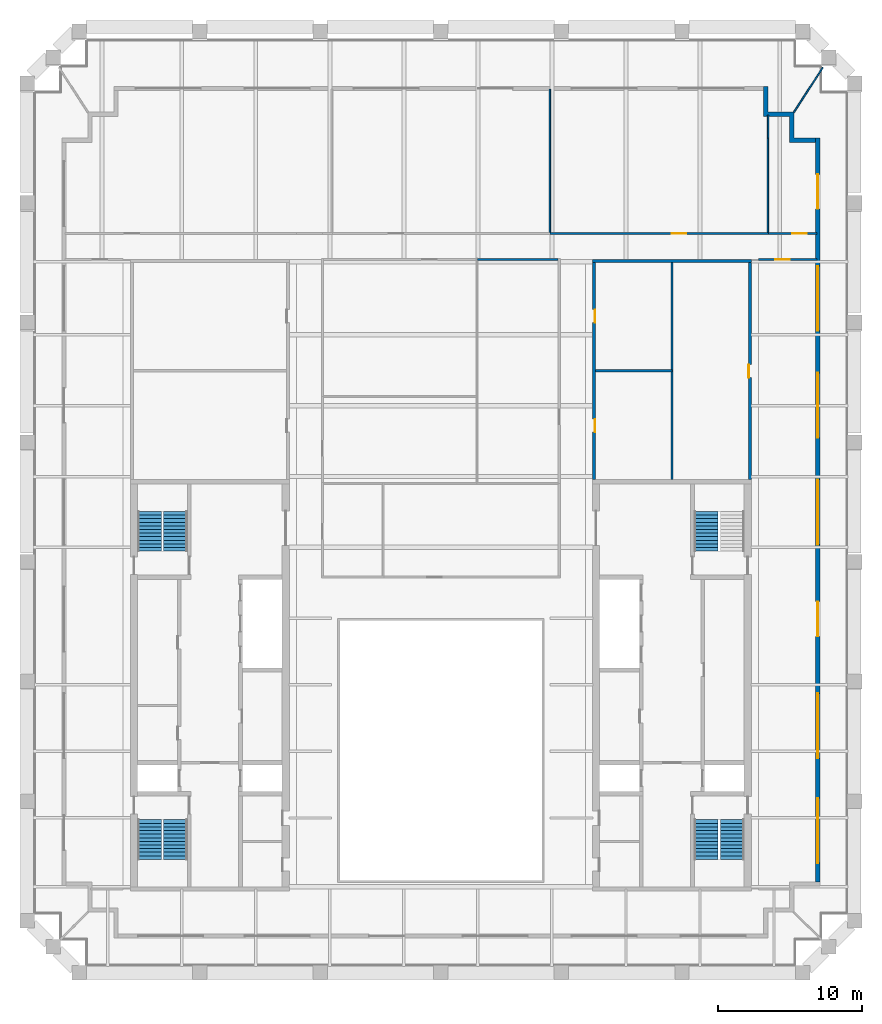
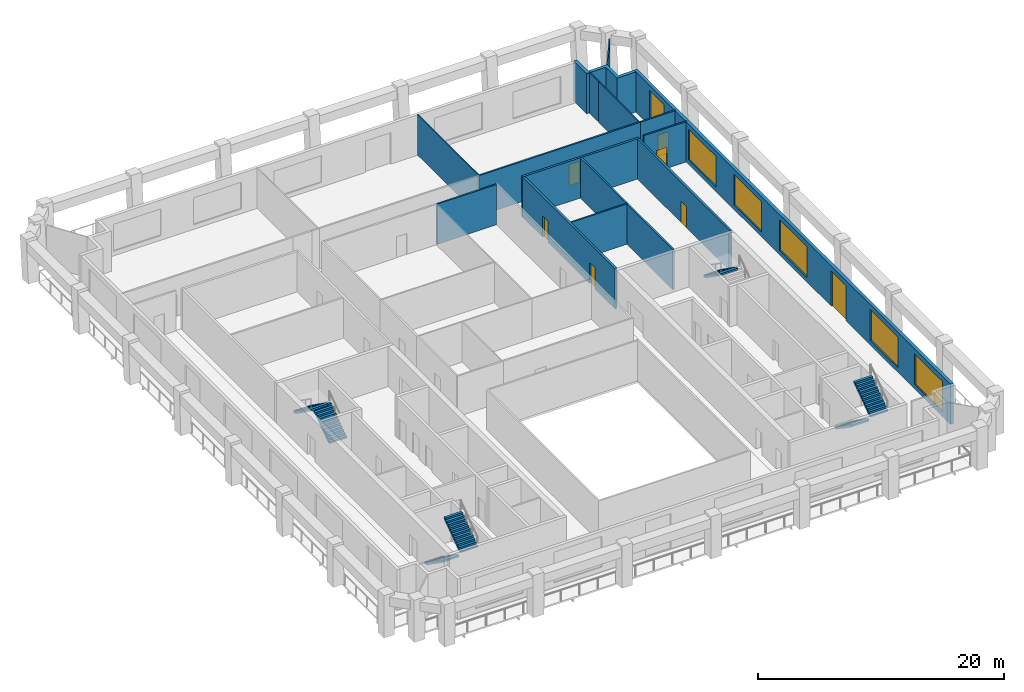
# One storey, part 6 of 8: 15 walls, 8 doors, 7 stair flights, 5 windows, 13 openings, 4 elements without a shape of their own.
"""IFC4 building model written with IfcOpenShell, lengths in metres."""

import ifcopenshell
import ifcopenshell.guid

model = None  # the IFC model being written
_history = None  # IfcOwnerHistory: only IFC2X3 demands one
_inside = {}  # id of a spatial element -> (the spatial element, [elements in it])
_under = {}  # id of a project, library or spatial element -> (it, [spatial elements below it])
_declared = {}  # id of a project -> (the project, [libraries it declares])
_typed = {}  # id of a type object -> (the type object, [elements of that type])
_made_of = {}  # id of a material, layer set ... -> (it, [elements and type objects made of it])


def new_model(schema):
    """Start an empty IFC model of exactly this schema.

    Asked for "IFC4X3", IfcOpenShell would pick the latest addendum, in which some entities
    have other attributes; the version numbers below select the first issue.
    IFC2X3 requires an IfcOwnerHistory on every rooted entity: one is made here for all.
    """
    global model, _history
    if schema == "IFC4X3":
        model = ifcopenshell.file(schema_version=(4, 3, 0, 0))
    else:
        model = ifcopenshell.file(schema=schema)
    _inside.clear()
    _under.clear()
    _declared.clear()
    _typed.clear()
    _made_of.clear()
    _history = None
    if model.schema == "IFC2X3":
        org = make("IfcOrganization", Name="unknown")
        user = make(
            "IfcPersonAndOrganization",
            ThePerson=make("IfcPerson", FamilyName="unknown"),
            TheOrganization=org,
        )
        app = make(
            "IfcApplication",
            ApplicationDeveloper=org,
            Version="unknown",
            ApplicationFullName="unknown",
            ApplicationIdentifier="unknown",
        )
        _history = make(
            "IfcOwnerHistory",
            OwningUser=user,
            OwningApplication=app,
            ChangeAction="ADDED",
            CreationDate=0,
        )
    return model


def make(cls, **values):
    """One entity of the class cls with the attributes given. An attribute that is None is left unset."""
    return model.create_entity(
        cls, **{name: value for name, value in values.items() if value is not None}
    )


def rooted(cls, **values):
    """An entity with a GlobalId (a new one), such as an element, a storey or a relation."""
    return make(cls, GlobalId=ifcopenshell.guid.new(), OwnerHistory=_history, **values)


def si_unit(unit_type, name, prefix=None):
    """IfcSIUnit, for example si_unit("LENGTHUNIT", "METRE", prefix="MILLI")."""
    return make("IfcSIUnit", UnitType=unit_type, Prefix=prefix, Name=name)


def assignment(units):
    """IfcUnitAssignment: the units of a project."""
    return None if units is None else make("IfcUnitAssignment", Units=units)


def point(xyz):
    """IfcCartesianPoint."""
    return None if xyz is None else make("IfcCartesianPoint", Coordinates=xyz)


def direction(xyz):
    """IfcDirection."""
    return None if xyz is None else make("IfcDirection", DirectionRatios=xyz)


def frame(location, z_axis=None, x_axis=None):
    """IfcAxis2Placement3D, a coordinate frame: its origin and axes. An axis left out is left unset."""
    return make(
        "IfcAxis2Placement3D",
        Location=point(location),
        Axis=direction(z_axis),
        RefDirection=direction(x_axis),
    )


def frame_2d(location, x_axis=None):
    """IfcAxis2Placement2D, a coordinate frame in the plane: its origin and x axis."""
    return make(
        "IfcAxis2Placement2D", Location=point(location), RefDirection=direction(x_axis)
    )


def origin():
    """The frame at (0, 0, 0) with its axes left unset."""
    return frame((0.0, 0.0, 0.0))


def place(relative_to, where):
    """IfcLocalPlacement: puts the frame where relative to a parent placement (None: the world)."""
    return make(
        "IfcLocalPlacement", PlacementRelTo=relative_to, RelativePlacement=where
    )


def context(
    kind, dimensions, precision=None, world=None, true_north=None, identifier=None
):
    """IfcGeometricRepresentationContext, for example the 3D "Model" context."""
    return make(
        "IfcGeometricRepresentationContext",
        ContextIdentifier=identifier,
        ContextType=kind,
        CoordinateSpaceDimension=dimensions,
        Precision=precision,
        WorldCoordinateSystem=world,
        TrueNorth=true_north,
    )


def subcontext(parent, identifier, kind, view, scale=None):
    """IfcGeometricRepresentationSubContext, for example "Body" below "Model"."""
    return make(
        "IfcGeometricRepresentationSubContext",
        ContextIdentifier=identifier,
        ContextType=kind,
        ParentContext=parent,
        TargetScale=scale,
        TargetView=view,
    )


def project(units=None, contexts=None):
    """IfcProject with its units and contexts."""
    return rooted(
        "IfcProject",
        Name="project",
        RepresentationContexts=contexts,
        UnitsInContext=assignment(units),
    )


def spatial(cls, under=None, at=None, **own):
    """A site, building, storey or space (cls), placed at a placement, below another one or the project."""
    s = rooted(cls, ObjectPlacement=at, **own)
    if under is not None:
        _under.setdefault(under.id(), (under, []))[1].append(s)
    return s


def polyline(points):
    """IfcPolyline through the points."""
    return make("IfcPolyline", Points=[point(p) for p in points])


def profile(cls, at=None, kind="AREA", **sizes):
    """A parametric profile (cls). Its sizes go by their IFC names, for example OverallWidth=200.0."""
    return make(cls, ProfileType=kind, Position=at, **sizes)


def rectangle(**sizes):
    """IfcRectangleProfileDef."""
    return profile("IfcRectangleProfileDef", **sizes)


def outline(outer, holes=None, kind="AREA"):
    """IfcArbitraryClosedProfileDef: a profile drawn as a closed curve; with holes, ...WithVoids."""
    if holes is None:
        return make("IfcArbitraryClosedProfileDef", ProfileType=kind, OuterCurve=outer)
    return make(
        "IfcArbitraryProfileDefWithVoids",
        ProfileType=kind,
        OuterCurve=outer,
        InnerCurves=holes,
    )


def extrude(swept, where, along, depth):
    """IfcExtrudedAreaSolid: the profile swept, set in the frame where, extruded along a direction by depth."""
    return make(
        "IfcExtrudedAreaSolid",
        SweptArea=swept,
        Position=where,
        ExtrudedDirection=direction(along),
        Depth=depth,
    )


def shape(context_of_items, identifier, shape_type, items):
    """IfcShapeRepresentation: the items that make up one representation, for example the "Body"."""
    return make(
        "IfcShapeRepresentation",
        ContextOfItems=context_of_items,
        RepresentationIdentifier=identifier,
        RepresentationType=shape_type,
        Items=items,
    )


def material(Name=None, Category=None):
    """IfcMaterial."""
    return make("IfcMaterial", Name=Name, Category=Category)


def layer(
    of_material, thickness, ventilated=None, Name=None, Category=None, Priority=None
):
    """IfcMaterialLayer: one layer of a wall or slab, of a material (None: an air gap)."""
    return make(
        "IfcMaterialLayer",
        Material=of_material,
        LayerThickness=thickness,
        IsVentilated=ventilated,
        Name=Name,
        Category=Category,
        Priority=Priority,
    )


def layer_set(layers, Name=None):
    """IfcMaterialLayerSet."""
    return make("IfcMaterialLayerSet", MaterialLayers=layers, LayerSetName=Name)


def made_of(thing, what):
    """Note that an element or type object is made of a material, layer set ...; save() writes the relation."""
    if what is not None:
        _made_of.setdefault(what.id(), (what, []))[1].append(thing)
    return thing


def type_object(cls, material=None, **own):
    """A type object (cls), such as IfcWallType, which elements share."""
    return made_of(rooted(cls, **own), material)


def element(
    cls,
    number,
    at=None,
    inside=None,
    cuts=None,
    type_object=None,
    material=None,
    context=None,
    identifier="Body",
    shape_type=None,
    held_by="IfcProductDefinitionShape",
    body=None,
    shapes=None,
    **own,
):
    """One element of the class cls, such as IfcWall. Its Tag is "e" and its number.

    at: its placement. inside: the storey or other place that contains it. cuts: it is an
    opening in that element (IfcRelVoidsElement). A single representation is given by context,
    identifier, shape_type and body (its items); several are given by shapes. held_by: the class
    of the entity that holds the representations. save() writes the other relations.
    """
    e = rooted(cls, Tag="e%d" % number, ObjectPlacement=at, **own)
    if body is not None:
        shapes = [shape(context, identifier, shape_type, body)]
    if shapes is not None:
        e.Representation = make(held_by, Representations=shapes)
    if inside is not None:
        _inside.setdefault(inside.id(), (inside, []))[1].append(e)
    if cuts is not None:
        rooted(
            "IfcRelVoidsElement", RelatingBuildingElement=cuts, RelatedOpeningElement=e
        )
    if type_object is not None:
        _typed.setdefault(type_object.id(), (type_object, []))[1].append(e)
    return made_of(e, material)


def fill(opening, filler):
    """IfcRelFillsElement: the door or window that sits in an opening."""
    return rooted(
        "IfcRelFillsElement",
        RelatingOpeningElement=opening,
        RelatedBuildingElement=filler,
    )


def aggregate(whole, parts):
    """IfcRelAggregates: a whole, such as a stair, and the parts it consists of."""
    return rooted("IfcRelAggregates", RelatingObject=whole, RelatedObjects=parts)


def save(model, path):
    """Write the relations noted so far, then the file.

    IfcRelAggregates (storeys below a building ...), IfcRelContainedInSpatialStructure (elements
    in a storey), IfcRelDefinesByType, IfcRelAssociatesMaterial and IfcRelDeclares: one each for
    every whole, place, type object, material and project.
    """
    for whole, parts in _under.values():
        aggregate(whole, parts)
    for where, things in _inside.values():
        rooted(
            "IfcRelContainedInSpatialStructure",
            RelatedElements=things,
            RelatingStructure=where,
        )
    for kind, things in _typed.values():
        rooted("IfcRelDefinesByType", RelatedObjects=things, RelatingType=kind)
    for what, things in _made_of.values():
        rooted("IfcRelAssociatesMaterial", RelatedObjects=things, RelatingMaterial=what)
    for by, libraries in _declared.values():
        rooted("IfcRelDeclares", RelatingContext=by, RelatedDefinitions=libraries)
    model.write(path)


model = new_model("IFC4")

# Units and contexts
model_context = context("Model", 3, precision=1e-05, world=origin(), true_north=direction((0.0, 1.0)))
body_context = subcontext(model_context, "Body", "Model", "MODEL_VIEW")
ifc_project = project(units=[si_unit("LENGTHUNIT", "METRE"), si_unit("AREAUNIT", "SQUARE_METRE"), si_unit("VOLUMEUNIT", "CUBIC_METRE"), si_unit("PLANEANGLEUNIT", "RADIAN"), si_unit("MASSUNIT", "GRAM", prefix="KILO")], contexts=[model_context])

# Site, building, storey
site_placement = place(None, origin())
site = spatial("IfcSite", under=ifc_project, at=site_placement, CompositionType="ELEMENT")
building_placement = place(site_placement, origin())
building = spatial("IfcBuilding", under=site, at=building_placement, Name="Ogive Exchange Tower", CompositionType="ELEMENT")
storey_placement = place(building_placement, frame((0.0, 0.0, 317.39990234375)))
storey = spatial("IfcBuildingStorey", under=building, at=storey_placement, Name="L69", CompositionType="ELEMENT", Elevation=317.39990234375)

# Walls
ifc_material_1 = material(Name="Gypsum board partition")
ifc_layer_1 = layer(ifc_material_1, 0.14990234375)
ifc_layer_set_1 = layer_set([ifc_layer_1], Name="Core room partition 150 gypsum")
wall_type_1 = type_object("IfcWallType", Name="Core room partition 150 gypsum", PredefinedType="PARTITIONING", material=ifc_layer_set_1)
wall_1_placement = place(storey_placement, frame((16.0, 25.75, 0.0), z_axis=(0.0, 0.0, 1.0), x_axis=(0.0, 1.0, 0.0)))
element("IfcWall", 1, at=wall_1_placement, inside=storey, type_object=wall_type_1, Name="E annex N column wall", PredefinedType="PARTITIONING", context=body_context, shape_type="SweptSolid", body=[
    extrude(rectangle(XDim=15.050048828125, YDim=0.14990234375, at=frame_2d((7.52490234375, 0.0))), origin(), (0.0, 0.0, 1.0), 4.0),
])
wall_2_placement = place(storey_placement, frame((10.699951171875, 33.300048828125, 0.0), z_axis=(0.0, 0.0, 1.0), x_axis=(1.0, 0.0, 0.0)))
element("IfcWall", 2, at=wall_2_placement, inside=storey, type_object=wall_type_1, Name="E annex N cross wall", PredefinedType="PARTITIONING", context=body_context, shape_type="SweptSolid", body=[
    extrude(rectangle(XDim=5.300048828125, YDim=0.14990234375, at=frame_2d((2.64990234375, 0.0))), origin(), (0.0, 0.0, 1.0), 4.0),
])

# Wall, opening, door
ifc_material_2 = material(Name="Fire partition EI 60 150")
ifc_layer_2 = layer(ifc_material_2, 0.14990234375)
ifc_layer_set_2 = layer_set([ifc_layer_2], Name="Fire partition EI 60 150")
wall_type_2 = type_object("IfcWallType", Name="Fire partition EI 60 150", PredefinedType="PARTITIONING", material=ifc_layer_set_2)
wall_3_placement = place(storey_placement, frame((7.550048828125, 42.800048828125, 0.0), z_axis=(0.0, 0.0, 1.0), x_axis=(1.0, 0.0, 0.0)))
wall_3 = element("IfcWall", 3, at=wall_3_placement, inside=storey, type_object=wall_type_2, Name="L69-PWL-021", PredefinedType="PARTITIONING", context=body_context, shape_type="SweptSolid", body=[
    extrude(rectangle(XDim=15.14990234375, YDim=0.14990234375, at=frame_2d((7.574951171875, 0.0))), origin(), (0.0, 0.0, 1.0), 4.0),
])
opening_1_placement = place(wall_3_placement, frame((8.449951171875, 0.0, 0.0)))
opening_1 = element("IfcOpeningElement", 4, at=opening_1_placement, cuts=wall_3, Name="Opening L69-I02", PredefinedType="OPENING", context=body_context, shape_type="SweptSolid", body=[
    extrude(rectangle(XDim=1.0, YDim=2.10009765625, at=frame_2d((0.5, 1.050048828125))), frame((0.0, 0.0849609375, 0.0), z_axis=(0.0, -1.0, 0.0), x_axis=(1.0, 0.0, 0.0)), (0.0, 0.0, 1.0), 0.169921875),
])
ifc_material_3 = material(Name="Fire door FD 30S 1000 x 2100")
door_type_1 = type_object("IfcDoorType", Name="Fire door FD 30S 1000 x 2100", OperationType="NOTDEFINED", PredefinedType="DOOR", material=ifc_material_3)
door_1_placement = place(opening_1_placement, origin())
door_1 = element("IfcDoor", 5, at=door_1_placement, inside=storey, type_object=door_type_1, Name="L69-IDR-002", ObjectType="DT3", OperationType="SINGLE_SWING_LEFT", OverallHeight=2.10009765625, OverallWidth=1.0, PredefinedType="DOOR", context=body_context, shape_type="SweptSolid", body=[
    extrude(rectangle(XDim=1.0, YDim=2.10009765625, at=frame_2d((0.5, 1.050048828125))), frame((0.0, 0.02490234375, 0.0), z_axis=(0.0, -1.0, 0.0), x_axis=(1.0, 0.0, 0.0)), (0.0, 0.0, 1.0), 0.050048828125),
])
fill(opening_1, door_1)

# Wall
wall_4_placement = place(storey_placement, frame((8.125, 41.0, 0.0), z_axis=(0.0, 0.0, 1.0), x_axis=(-1.0, 0.0, 0.0)))
element("IfcWall", 6, at=wall_4_placement, inside=storey, type_object=wall_type_2, Name="L69-PWL-025", PredefinedType="PARTITIONING", context=body_context, shape_type="SweptSolid", body=[
    extrude(rectangle(XDim=5.574951171875, YDim=0.14990234375, at=frame_2d((2.78759765625, 0.0))), origin(), (0.0, 0.0, 1.0), 4.0),
])

# Wall, opening, door
wall_5_placement = place(storey_placement, frame((22.699951171875, 42.800048828125, 0.0), z_axis=(0.0, 0.0, 1.0), x_axis=(1.0, 0.0, 0.0)))
wall_5 = element("IfcWall", 7, at=wall_5_placement, inside=storey, type_object=wall_type_2, Name="L69-PWL-028", PredefinedType="PARTITIONING", context=body_context, shape_type="SweptSolid", body=[
    extrude(rectangle(XDim=3.35009765625, YDim=0.14990234375, at=frame_2d((1.675048828125, 0.0))), origin(), (0.0, 0.0, 1.0), 4.0),
])
opening_2_placement = place(wall_5_placement, frame((1.64990234375, 0.0, 0.0)))
opening_2 = element("IfcOpeningElement", 8, at=opening_2_placement, cuts=wall_5, Name="Opening L69-I01", PredefinedType="OPENING", context=body_context, shape_type="SweptSolid", body=[
    extrude(rectangle(XDim=1.0, YDim=2.10009765625, at=frame_2d((0.5, 1.050048828125))), frame((0.0, 0.0849609375, 0.0), z_axis=(0.0, -1.0, 0.0), x_axis=(1.0, 0.0, 0.0)), (0.0, 0.0, 1.0), 0.169921875),
])
door_2_placement = place(opening_2_placement, origin())
door_2 = element("IfcDoor", 9, at=door_2_placement, inside=storey, type_object=door_type_1, Name="L69-IDR-001", ObjectType="DT3", OperationType="SINGLE_SWING_LEFT", OverallHeight=2.10009765625, OverallWidth=1.0, PredefinedType="DOOR", context=body_context, shape_type="SweptSolid", body=[
    extrude(rectangle(XDim=1.0, YDim=2.10009765625, at=frame_2d((0.5, 1.050048828125))), frame((0.0, 0.02490234375, 0.0), z_axis=(0.0, -1.0, 0.0), x_axis=(1.0, 0.0, 0.0)), (0.0, 0.0, 1.0), 0.050048828125),
])
fill(opening_2, door_2)

wall_6_placement = place(storey_placement, frame((26.050048828125, 41.0, 0.0), z_axis=(0.0, 0.0, 1.0), x_axis=(-1.0, 0.0, 0.0)))
wall_6 = element("IfcWall", 10, at=wall_6_placement, inside=storey, type_object=wall_type_2, Name="L69-PWL-030", PredefinedType="PARTITIONING", context=body_context, shape_type="SweptSolid", body=[
    extrude(rectangle(XDim=4.050048828125, YDim=0.14990234375, at=frame_2d((2.02490234375, 0.0))), origin(), (0.0, 0.0, 1.0), 4.0),
])
opening_3_placement = place(wall_6_placement, frame((1.89990234375, 0.0, 0.0)))
opening_3 = element("IfcOpeningElement", 11, at=opening_3_placement, cuts=wall_6, Name="Opening L69-I11", PredefinedType="OPENING", context=body_context, shape_type="SweptSolid", body=[
    extrude(rectangle(XDim=1.0, YDim=2.10009765625, at=frame_2d((0.5, 1.050048828125))), frame((0.0, 0.0849609375, 0.0), z_axis=(0.0, -1.0, 0.0), x_axis=(1.0, 0.0, 0.0)), (0.0, 0.0, 1.0), 0.169921875),
])
door_3_placement = place(opening_3_placement, origin())
door_3 = element("IfcDoor", 12, at=door_3_placement, inside=storey, type_object=door_type_1, Name="L69-IDR-011", ObjectType="DT3", OperationType="SINGLE_SWING_RIGHT", OverallHeight=2.10009765625, OverallWidth=1.0, PredefinedType="DOOR", context=body_context, shape_type="SweptSolid", body=[
    extrude(rectangle(XDim=1.0, YDim=2.10009765625, at=frame_2d((0.5, 1.050048828125))), frame((0.0, 0.02490234375, 0.0), z_axis=(0.0, -1.0, 0.0), x_axis=(1.0, 0.0, 0.0)), (0.0, 0.0, 1.0), 0.050048828125),
])
fill(opening_3, door_3)

# Wall, openings, doors, windows
ifc_material_4 = material(Name="Precast concrete C40/50", Category="concrete")
ifc_layer_3 = layer(ifc_material_4, 0.300048828125)
ifc_layer_set_3 = layer_set([ifc_layer_3], Name="Limestone-faced wall 300")
wall_type_3 = type_object("IfcWallType", Name="Limestone-faced wall 300", PredefinedType="STANDARD", material=ifc_layer_set_3)
wall_7_placement = place(storey_placement, frame((26.10009765625, -2.10009765625, 0.0), z_axis=(0.0, 0.0, 1.0), x_axis=(0.0, 1.0, 0.0)))
wall_7 = element("IfcWall", 13, at=wall_7_placement, inside=storey, type_object=wall_type_3, Name="External wall E2", PredefinedType="STANDARD", context=body_context, shape_type="SweptSolid", body=[
    extrude(rectangle(XDim=51.5, YDim=0.300048828125, at=frame_2d((25.75, 0.0))), origin(), (0.0, 0.0, 1.0), 4.0),
])
opening_4_placement = place(wall_7_placement, frame((1.300048828125, 0.0, 0.449951171875)))
opening_4 = element("IfcOpeningElement", 14, at=opening_4_placement, cuts=wall_7, Name="Opening W1", PredefinedType="OPENING", context=body_context, shape_type="SweptSolid", body=[
    extrude(rectangle(XDim=4.5, YDim=3.050048828125, at=frame_2d((2.25, 1.52490234375))), frame((0.0, 0.159912109375, 0.0), z_axis=(0.0, -1.0, 0.0), x_axis=(1.0, 0.0, 0.0)), (0.0, 0.0, 1.0), 0.320068359375),
])
opening_5_placement = place(wall_7_placement, frame((8.550048828125, 0.0, 0.449951171875)))
opening_5 = element("IfcOpeningElement", 15, at=opening_5_placement, cuts=wall_7, Name="Opening W1", PredefinedType="OPENING", context=body_context, shape_type="SweptSolid", body=[
    extrude(rectangle(XDim=4.5, YDim=3.050048828125, at=frame_2d((2.25, 1.52490234375))), frame((0.0, 0.159912109375, 0.0), z_axis=(0.0, -1.0, 0.0), x_axis=(1.0, 0.0, 0.0)), (0.0, 0.0, 1.0), 0.320068359375),
])
opening_6_placement = place(wall_7_placement, frame((17.0, 0.0, 0.0)))
opening_6 = element("IfcOpeningElement", 16, at=opening_6_placement, cuts=wall_7, Name="Opening D1", PredefinedType="OPENING", context=body_context, shape_type="SweptSolid", body=[
    extrude(rectangle(XDim=2.39990234375, YDim=3.5, at=frame_2d((1.199951171875, 1.75))), frame((0.0, 0.159912109375, 0.0), z_axis=(0.0, -1.0, 0.0), x_axis=(1.0, 0.0, 0.0)), (0.0, 0.0, 1.0), 0.320068359375),
])
opening_7_placement = place(wall_7_placement, frame((23.35009765625, 0.0, 0.449951171875)))
opening_7 = element("IfcOpeningElement", 17, at=opening_7_placement, cuts=wall_7, Name="Opening W1", PredefinedType="OPENING", context=body_context, shape_type="SweptSolid", body=[
    extrude(rectangle(XDim=4.5, YDim=3.050048828125, at=frame_2d((2.25, 1.52490234375))), frame((0.0, 0.159912109375, 0.0), z_axis=(0.0, -1.0, 0.0), x_axis=(1.0, 0.0, 0.0)), (0.0, 0.0, 1.0), 0.320068359375),
])
opening_8_placement = place(wall_7_placement, frame((30.75, 0.0, 0.449951171875)))
opening_8 = element("IfcOpeningElement", 18, at=opening_8_placement, cuts=wall_7, Name="Opening W1", PredefinedType="OPENING", context=body_context, shape_type="SweptSolid", body=[
    extrude(rectangle(XDim=4.5, YDim=3.050048828125, at=frame_2d((2.25, 1.52490234375))), frame((0.0, 0.159912109375, 0.0), z_axis=(0.0, -1.0, 0.0), x_axis=(1.0, 0.0, 0.0)), (0.0, 0.0, 1.0), 0.320068359375),
])
opening_9_placement = place(wall_7_placement, frame((38.14990234375, 0.0, 0.449951171875)))
opening_9 = element("IfcOpeningElement", 19, at=opening_9_placement, cuts=wall_7, Name="Opening W1", PredefinedType="OPENING", context=body_context, shape_type="SweptSolid", body=[
    extrude(rectangle(XDim=4.5, YDim=3.050048828125, at=frame_2d((2.25, 1.52490234375))), frame((0.0, 0.159912109375, 0.0), z_axis=(0.0, -1.0, 0.0), x_axis=(1.0, 0.0, 0.0)), (0.0, 0.0, 1.0), 0.320068359375),
])
opening_10_placement = place(wall_7_placement, frame((46.60009765625, 0.0, 0.0)))
opening_10 = element("IfcOpeningElement", 20, at=opening_10_placement, cuts=wall_7, Name="Opening D1", PredefinedType="OPENING", context=body_context, shape_type="SweptSolid", body=[
    extrude(rectangle(XDim=2.39990234375, YDim=3.5, at=frame_2d((1.199951171875, 1.75))), frame((0.0, 0.159912109375, 0.0), z_axis=(0.0, -1.0, 0.0), x_axis=(1.0, 0.0, 0.0)), (0.0, 0.0, 1.0), 0.320068359375),
])
ifc_material_5 = material(Name="Clear glass in bronze frame", Category="glass")
door_type_2 = type_object("IfcDoorType", Name="Sliding loggia door 2400 x 3500", OperationType="DOUBLE_DOOR_SLIDING", PredefinedType="DOOR", material=ifc_material_5)
door_4_placement = place(opening_6_placement, origin())
door_4 = element("IfcDoor", 21, at=door_4_placement, inside=storey, type_object=door_type_2, Name="Loggia door E02", OperationType="DOUBLE_DOOR_SLIDING", OverallHeight=3.5, OverallWidth=2.39990234375, PredefinedType="DOOR", context=body_context, shape_type="SweptSolid", body=[
    extrude(rectangle(XDim=2.39990234375, YDim=3.5, at=frame_2d((1.199951171875, 1.75))), frame((0.0, 0.02490234375, 0.0), z_axis=(0.0, -1.0, 0.0), x_axis=(1.0, 0.0, 0.0)), (0.0, 0.0, 1.0), 0.050048828125),
])
fill(opening_6, door_4)
door_5_placement = place(opening_10_placement, origin())
door_5 = element("IfcDoor", 22, at=door_5_placement, inside=storey, type_object=door_type_2, Name="Loggia door E06", OperationType="DOUBLE_DOOR_SLIDING", OverallHeight=3.5, OverallWidth=2.39990234375, PredefinedType="DOOR", context=body_context, shape_type="SweptSolid", body=[
    extrude(rectangle(XDim=2.39990234375, YDim=3.5, at=frame_2d((1.199951171875, 1.75))), frame((0.0, 0.02490234375, 0.0), z_axis=(0.0, -1.0, 0.0), x_axis=(1.0, 0.0, 0.0)), (0.0, 0.0, 1.0), 0.050048828125),
])
fill(opening_10, door_5)
window_type = type_object("IfcWindowType", Name="Twin lancet window 4500 x 3050", PartitioningType="DOUBLE_PANEL_VERTICAL", PredefinedType="WINDOW", material=ifc_material_5)
window_1_placement = place(opening_4_placement, origin())
window_1 = element("IfcWindow", 23, at=window_1_placement, inside=storey, type_object=window_type, Name="Window E00", OverallHeight=3.050048828125, OverallWidth=4.5, PartitioningType="DOUBLE_PANEL_VERTICAL", PredefinedType="WINDOW", context=body_context, shape_type="SweptSolid", body=[
    extrude(rectangle(XDim=4.5, YDim=3.050048828125, at=frame_2d((2.25, 1.52490234375))), frame((0.0, 0.030029296875, 0.0), z_axis=(0.0, -1.0, 0.0), x_axis=(1.0, 0.0, 0.0)), (0.0, 0.0, 1.0), 0.06005859375),
])
fill(opening_4, window_1)
window_2_placement = place(opening_5_placement, origin())
window_2 = element("IfcWindow", 24, at=window_2_placement, inside=storey, type_object=window_type, Name="Window E01", OverallHeight=3.050048828125, OverallWidth=4.5, PartitioningType="DOUBLE_PANEL_VERTICAL", PredefinedType="WINDOW", context=body_context, shape_type="SweptSolid", body=[
    extrude(rectangle(XDim=4.5, YDim=3.050048828125, at=frame_2d((2.25, 1.52490234375))), frame((0.0, 0.030029296875, 0.0), z_axis=(0.0, -1.0, 0.0), x_axis=(1.0, 0.0, 0.0)), (0.0, 0.0, 1.0), 0.06005859375),
])
fill(opening_5, window_2)
window_3_placement = place(opening_7_placement, origin())
window_3 = element("IfcWindow", 25, at=window_3_placement, inside=storey, type_object=window_type, Name="Window E03", OverallHeight=3.050048828125, OverallWidth=4.5, PartitioningType="DOUBLE_PANEL_VERTICAL", PredefinedType="WINDOW", context=body_context, shape_type="SweptSolid", body=[
    extrude(rectangle(XDim=4.5, YDim=3.050048828125, at=frame_2d((2.25, 1.52490234375))), frame((0.0, 0.030029296875, 0.0), z_axis=(0.0, -1.0, 0.0), x_axis=(1.0, 0.0, 0.0)), (0.0, 0.0, 1.0), 0.06005859375),
])
fill(opening_7, window_3)
window_4_placement = place(opening_8_placement, origin())
window_4 = element("IfcWindow", 26, at=window_4_placement, inside=storey, type_object=window_type, Name="Window E04", OverallHeight=3.050048828125, OverallWidth=4.5, PartitioningType="DOUBLE_PANEL_VERTICAL", PredefinedType="WINDOW", context=body_context, shape_type="SweptSolid", body=[
    extrude(rectangle(XDim=4.5, YDim=3.050048828125, at=frame_2d((2.25, 1.52490234375))), frame((0.0, 0.030029296875, 0.0), z_axis=(0.0, -1.0, 0.0), x_axis=(1.0, 0.0, 0.0)), (0.0, 0.0, 1.0), 0.06005859375),
])
fill(opening_8, window_4)
window_5_placement = place(opening_9_placement, origin())
window_5 = element("IfcWindow", 27, at=window_5_placement, inside=storey, type_object=window_type, Name="Window E05", OverallHeight=3.050048828125, OverallWidth=4.5, PartitioningType="DOUBLE_PANEL_VERTICAL", PredefinedType="WINDOW", context=body_context, shape_type="SweptSolid", body=[
    extrude(rectangle(XDim=4.5, YDim=3.050048828125, at=frame_2d((2.25, 1.52490234375))), frame((0.0, 0.030029296875, 0.0), z_axis=(0.0, -1.0, 0.0), x_axis=(1.0, 0.0, 0.0)), (0.0, 0.0, 1.0), 0.06005859375),
])
fill(opening_9, window_5)

# Walls
wall_8_placement = place(storey_placement, origin())
element("IfcWall", 28, at=wall_8_placement, inside=storey, type_object=wall_type_3, Name="External corner wall C2", PredefinedType="STANDARD", context=body_context, shape_type="SweptSolid", body=[
    extrude(outline(polyline([(24.14990234375, 50.89990234375), (22.35009765625, 50.89990234375), (22.35009765625, 53.0), (22.64990234375, 53.0), (22.64990234375, 51.199951171875), (24.449951171875, 51.199951171875), (24.449951171875, 49.39990234375), (25.949951171875, 49.39990234375), (25.949951171875, 49.10009765625), (24.14990234375, 49.10009765625), (24.14990234375, 50.89990234375)])), origin(), (0.0, 0.0, 1.0), 4.0),
])
ifc_material_6 = material(Name="Laminated safety glass in steel frame", Category="steel")
ifc_layer_4 = layer(ifc_material_6, 0.10009765625)
ifc_layer_set_4 = layer_set([ifc_layer_4], Name="Loggia end screen 100")
wall_type_4 = type_object("IfcWallType", Name="Loggia end screen 100", PredefinedType="STANDARD", material=ifc_layer_set_4)
wall_9_placement = place(storey_placement, frame((24.449951171875, 51.199951171875, -0.0498046875), z_axis=(0.0, 0.0, 1.0), x_axis=(0.543275962531, 0.839554184396, 0.0)))
element("IfcWall", 29, at=wall_9_placement, inside=storey, type_object=wall_type_4, Name="Loggia end screen C2", PredefinedType="STANDARD", context=body_context, shape_type="SweptSolid", body=[
    extrude(rectangle(XDim=3.69091796875, YDim=0.10009765625, at=frame_2d((1.845458984375, 0.0))), origin(), (0.0, 0.0, 1.0), 4.0498046875),
])
ifc_material_7 = material(Name="Partition 100 gypsum")
ifc_layer_5 = layer(ifc_material_7, 0.10009765625)
ifc_layer_set_5 = layer_set([ifc_layer_5], Name="Partition 100 gypsum")
wall_type_5 = type_object("IfcWallType", Name="Partition 100 gypsum", PredefinedType="PARTITIONING", material=ifc_layer_set_5)
wall_10_placement = place(storey_placement, frame((7.550048828125, 42.875, 0.0), z_axis=(0.0, 0.0, 1.0), x_axis=(0.0, 1.0, 0.0)))
element("IfcWall", 30, at=wall_10_placement, inside=storey, type_object=wall_type_5, Name="L69-PWL-020", PredefinedType="PARTITIONING", context=body_context, shape_type="SweptSolid", body=[
    extrude(rectangle(XDim=9.925048828125, YDim=0.10009765625, at=frame_2d((4.96240234375, 0.0))), origin(), (0.0, 0.0, 1.0), 4.0),
])
wall_11_placement = place(storey_placement, frame((22.64990234375, 42.875, 0.0), z_axis=(0.0, 0.0, 1.0), x_axis=(0.0, 1.0, 0.0)))
element("IfcWall", 31, at=wall_11_placement, inside=storey, type_object=wall_type_5, Name="L69-PWL-027", PredefinedType="PARTITIONING", context=body_context, shape_type="SweptSolid", body=[
    extrude(rectangle(XDim=6.534912109375, YDim=0.10009765625, at=frame_2d((3.267578125, 0.0))), origin(), (0.0, 0.0, 1.0), 4.0),
])
wall_12_placement = place(storey_placement, frame((22.659912109375, 49.409912109375, 0.0), z_axis=(0.0, 0.0, 1.0), x_axis=(0.0, 1.0, 0.0)))
element("IfcWall", 32, at=wall_12_placement, inside=storey, type_object=wall_type_5, Name="L69-PWL-029", PredefinedType="PARTITIONING", context=body_context, shape_type="SweptSolid", body=[
    extrude(rectangle(XDim=1.590087890625, YDim=0.10009765625, at=frame_2d((0.794921875, 0.0))), origin(), (0.0, 0.0, 1.0), 4.0),
])

# Wall, opening, door
ifc_material_8 = material(Name="Concrete C70/85", Category="concrete")
ifc_layer_6 = layer(ifc_material_8, 0.199951171875)
ifc_layer_set_6 = layer_set([ifc_layer_6], Name="RC core wall 200 C70/85")
wall_type_6 = type_object("IfcWallType", Name="RC core wall 200 C70/85", PredefinedType="SHEAR", material=ifc_layer_set_6)
wall_13_placement = place(storey_placement, frame((21.39990234375, 25.75, 0.0), z_axis=(0.0, 0.0, 1.0), x_axis=(0.0, 1.0, 0.0)))
wall_13 = element("IfcWall", 33, at=wall_13_placement, inside=storey, type_object=wall_type_6, Name="E annex N outer wall", PredefinedType="SHEAR", context=body_context, shape_type="SweptSolid", body=[
    extrude(rectangle(XDim=15.050048828125, YDim=0.199951171875, at=frame_2d((7.52490234375, 0.0))), origin(), (0.0, 0.0, 1.0), 4.0),
])
opening_11_placement = place(wall_13_placement, frame((7.074951171875, 0.0, 0.0)))
opening_11 = element("IfcOpeningElement", 34, at=opening_11_placement, cuts=wall_13, Name="Opening L69-C34", PredefinedType="OPENING", context=body_context, shape_type="SweptSolid", body=[
    extrude(rectangle(XDim=0.89990234375, YDim=2.10009765625, at=frame_2d((0.449951171875, 1.050048828125))), frame((0.0, 0.10986328125, 0.0), z_axis=(0.0, -1.0, 0.0), x_axis=(1.0, 0.0, 0.0)), (0.0, 0.0, 1.0), 0.219970703125),
])
ifc_material_9 = material(Name="Timber fire door", Category="wood")
door_type_3 = type_object("IfcDoorType", Name="Core room door FD30S 900 x 2100", OperationType="NOTDEFINED", PredefinedType="DOOR", material=ifc_material_9)
door_6_placement = place(opening_11_placement, frame((0.89990234375, 0.14990234375, 0.0), z_axis=(0.0, 0.0, 1.0), x_axis=(-1.0, 0.0, 0.0)))
door_6 = element("IfcDoor", 35, at=door_6_placement, inside=storey, type_object=door_type_3, Name="Core room door", ObjectType="CD6", OperationType="SINGLE_SWING_RIGHT", OverallHeight=2.10009765625, OverallWidth=0.89990234375, PredefinedType="DOOR", context=body_context, shape_type="SweptSolid", body=[
    extrude(rectangle(XDim=0.89990234375, YDim=2.10009765625, at=frame_2d((0.449951171875, 1.050048828125))), frame((0.0, 0.10009765625, 0.0), z_axis=(0.0, -1.0, 0.0), x_axis=(1.0, 0.0, 0.0)), (0.0, 0.0, 1.0), 0.050048828125),
])
fill(opening_11, door_6)

# Wall, openings, doors
wall_14_placement = place(storey_placement, frame((10.60009765625, 25.75, 0.0), z_axis=(0.0, 0.0, 1.0), x_axis=(0.0, 1.0, 0.0)))
wall_14 = element("IfcWall", 36, at=wall_14_placement, inside=storey, type_object=wall_type_6, Name="E annex N inner wall", PredefinedType="SHEAR", context=body_context, shape_type="SweptSolid", body=[
    extrude(rectangle(XDim=15.050048828125, YDim=0.199951171875, at=frame_2d((7.52490234375, 0.0))), origin(), (0.0, 0.0, 1.0), 4.0),
])
opening_12_placement = place(wall_14_placement, frame((3.28759765625, 0.0, 0.0)))
opening_12 = element("IfcOpeningElement", 37, at=opening_12_placement, cuts=wall_14, Name="Opening L69-C35", PredefinedType="OPENING", context=body_context, shape_type="SweptSolid", body=[
    extrude(rectangle(XDim=0.89990234375, YDim=2.10009765625, at=frame_2d((0.449951171875, 1.050048828125))), frame((0.0, 0.10986328125, 0.0), z_axis=(0.0, -1.0, 0.0), x_axis=(1.0, 0.0, 0.0)), (0.0, 0.0, 1.0), 0.219970703125),
])
opening_13_placement = place(wall_14_placement, frame((10.887451171875, 0.0, 0.0)))
opening_13 = element("IfcOpeningElement", 38, at=opening_13_placement, cuts=wall_14, Name="Opening L69-C36", PredefinedType="OPENING", context=body_context, shape_type="SweptSolid", body=[
    extrude(rectangle(XDim=0.89990234375, YDim=2.10009765625, at=frame_2d((0.449951171875, 1.050048828125))), frame((0.0, 0.10986328125, 0.0), z_axis=(0.0, -1.0, 0.0), x_axis=(1.0, 0.0, 0.0)), (0.0, 0.0, 1.0), 0.219970703125),
])
ifc_material_10 = material(Name="Steel fire door", Category="steel")
door_type_4 = type_object("IfcDoorType", Name="Riser door FD60 900 x 2100", OperationType="NOTDEFINED", PredefinedType="DOOR", material=ifc_material_10)
door_7_placement = place(opening_12_placement, origin())
door_7 = element("IfcDoor", 39, at=door_7_placement, inside=storey, type_object=door_type_4, Name="Riser door", ObjectType="CD2", OperationType="SINGLE_SWING_LEFT", OverallHeight=2.10009765625, OverallWidth=0.89990234375, PredefinedType="DOOR", context=body_context, shape_type="SweptSolid", body=[
    extrude(rectangle(XDim=0.89990234375, YDim=2.10009765625, at=frame_2d((0.449951171875, 1.050048828125))), frame((0.0, -0.0498046875, 0.0), z_axis=(0.0, -1.0, 0.0), x_axis=(1.0, 0.0, 0.0)), (0.0, 0.0, 1.0), 0.050048828125),
])
fill(opening_12, door_7)
door_8_placement = place(opening_13_placement, origin())
door_8 = element("IfcDoor", 40, at=door_8_placement, inside=storey, type_object=door_type_4, Name="Riser door", ObjectType="CD2", OperationType="SINGLE_SWING_LEFT", OverallHeight=2.10009765625, OverallWidth=0.89990234375, PredefinedType="DOOR", context=body_context, shape_type="SweptSolid", body=[
    extrude(rectangle(XDim=0.89990234375, YDim=2.10009765625, at=frame_2d((0.449951171875, 1.050048828125))), frame((0.0, -0.0498046875, 0.0), z_axis=(0.0, -1.0, 0.0), x_axis=(1.0, 0.0, 0.0)), (0.0, 0.0, 1.0), 0.050048828125),
])
fill(opening_13, door_8)

# Wall
wall_15_placement = place(storey_placement, frame((10.5, 40.89990234375, 0.0), z_axis=(0.0, 0.0, 1.0), x_axis=(1.0, 0.0, 0.0)))
element("IfcWall", 41, at=wall_15_placement, inside=storey, type_object=wall_type_6, Name="E annex N end wall", PredefinedType="SHEAR", context=body_context, shape_type="SweptSolid", body=[
    extrude(rectangle(XDim=11.0, YDim=0.199951171875, at=frame_2d((5.5, 0.0))), origin(), (0.0, 0.0, 1.0), 4.0),
])

# Stair, stair flights
ifc_material_11 = material(Name="Concrete C40/50", Category="concrete")
stair_type = type_object("IfcStairType", Name="Exit stair 1650 wide", PredefinedType="HALF_TURN_STAIR", material=ifc_material_11)
stair_1_placement = place(storey_placement, origin())
stair_1 = element("IfcStair", 42, at=stair_1_placement, inside=storey, type_object=stair_type, Name="L69 exit stair ST1", PredefinedType="HALF_TURN_STAIR")
stair_flight_type = type_object("IfcStairFlightType", Name="Stair flight 1650 wide", PredefinedType="STRAIGHT", material=ifc_material_11)
stair_flight_1_placement = place(storey_placement, frame((-20.175048828125, 2.199951171875, 0.0), z_axis=(0.0, 0.0, 1.0), x_axis=(0.0, -1.0, 0.0)))
stair_flight_1 = element("IfcStairFlight", 43, at=stair_flight_1_placement, type_object=stair_flight_type, Name="ST1 flight 1", NumberOfRisers=12, NumberOfTreads=11, PredefinedType="STRAIGHT", RiserHeight=0.175, TreadLength=0.25, context=body_context, shape_type="SweptSolid", body=[
    extrude(outline(polyline([(0.0, 0.0), (0.0, 0.175048828125), (0.25, 0.175048828125), (0.25, 0.35009765625), (0.5, 0.35009765625), (0.5, 0.52490234375), (0.75, 0.52490234375), (0.75, 0.699951171875), (1.0, 0.699951171875), (1.0, 0.875), (1.25, 0.875), (1.25, 1.050048828125), (1.5, 1.050048828125), (1.5, 1.22509765625), (1.75, 1.22509765625), (1.75, 1.39990234375), (2.0, 1.39990234375), (2.0, 1.574951171875), (2.25, 1.574951171875), (2.25, 1.75), (2.5, 1.75), (2.5, 1.925048828125), (2.75, 1.925048828125), (2.75, 2.10009765625), (2.75, 1.741943359375), (0.261474609375, 0.0), (0.0, 0.0)])), frame((0.0, 0.824951171875, 0.0), z_axis=(0.0, -1.0, 0.0), x_axis=(1.0, 0.0, 0.0)), (0.0, 0.0, 1.0), 1.64990234375),
])
stair_flight_2_placement = place(storey_placement, frame((-18.375, -0.550048828125, 2.10009765625), z_axis=(0.0, 0.0, 1.0), x_axis=(0.0, 1.0, 0.0)))
stair_flight_2 = element("IfcStairFlight", 44, at=stair_flight_2_placement, type_object=stair_flight_type, Name="ST1 flight 2", NumberOfRisers=12, NumberOfTreads=11, PredefinedType="STRAIGHT", RiserHeight=0.175, TreadLength=0.25, context=body_context, shape_type="SweptSolid", body=[
    extrude(outline(polyline([(0.0, 0.0), (0.0, 0.175048828125), (0.25, 0.175048828125), (0.25, 0.35009765625), (0.5, 0.35009765625), (0.5, 0.52490234375), (0.75, 0.52490234375), (0.75, 0.699951171875), (1.0, 0.699951171875), (1.0, 0.875), (1.25, 0.875), (1.25, 1.050048828125), (1.5, 1.050048828125), (1.5, 1.22509765625), (1.75, 1.22509765625), (1.75, 1.39990234375), (2.0, 1.39990234375), (2.0, 1.574951171875), (2.25, 1.574951171875), (2.25, 1.75), (2.5, 1.75), (2.5, 1.925048828125), (2.75, 1.925048828125), (2.75, 2.10009765625), (2.75, 1.741943359375), (0.261474609375, 0.0), (0.0, 0.0)])), frame((0.0, 0.824951171875, 0.0), z_axis=(0.0, -1.0, 0.0), x_axis=(1.0, 0.0, 0.0)), (0.0, 0.0, 1.0), 1.64990234375),
])
aggregate(stair_1, [stair_flight_1, stair_flight_2])

stair_2_placement = place(storey_placement, origin())
stair_2 = element("IfcStair", 45, at=stair_2_placement, inside=storey, type_object=stair_type, Name="L69 exit stair ST2", PredefinedType="HALF_TURN_STAIR")
stair_flight_3_placement = place(storey_placement, frame((-18.375, 20.800048828125, 0.0), z_axis=(0.0, 0.0, 1.0), x_axis=(0.0, 1.0, 0.0)))
stair_flight_3 = element("IfcStairFlight", 46, at=stair_flight_3_placement, type_object=stair_flight_type, Name="ST2 flight 1", NumberOfRisers=12, NumberOfTreads=11, PredefinedType="STRAIGHT", RiserHeight=0.175, TreadLength=0.25, context=body_context, shape_type="SweptSolid", body=[
    extrude(outline(polyline([(0.0, 0.0), (0.0, 0.175048828125), (0.25, 0.175048828125), (0.25, 0.35009765625), (0.5, 0.35009765625), (0.5, 0.52490234375), (0.75, 0.52490234375), (0.75, 0.699951171875), (1.0, 0.699951171875), (1.0, 0.875), (1.25, 0.875), (1.25, 1.050048828125), (1.5, 1.050048828125), (1.5, 1.22509765625), (1.75, 1.22509765625), (1.75, 1.39990234375), (2.0, 1.39990234375), (2.0, 1.574951171875), (2.25, 1.574951171875), (2.25, 1.75), (2.5, 1.75), (2.5, 1.925048828125), (2.75, 1.925048828125), (2.75, 2.10009765625), (2.75, 1.741943359375), (0.261474609375, 0.0), (0.0, 0.0)])), frame((0.0, 0.824951171875, 0.0), z_axis=(0.0, -1.0, 0.0), x_axis=(1.0, 0.0, 0.0)), (0.0, 0.0, 1.0), 1.64990234375),
])
stair_flight_4_placement = place(storey_placement, frame((-20.175048828125, 23.550048828125, 2.10009765625), z_axis=(0.0, 0.0, 1.0), x_axis=(0.0, -1.0, 0.0)))
stair_flight_4 = element("IfcStairFlight", 47, at=stair_flight_4_placement, type_object=stair_flight_type, Name="ST2 flight 2", NumberOfRisers=12, NumberOfTreads=11, PredefinedType="STRAIGHT", RiserHeight=0.175, TreadLength=0.25, context=body_context, shape_type="SweptSolid", body=[
    extrude(outline(polyline([(0.0, 0.0), (0.0, 0.175048828125), (0.25, 0.175048828125), (0.25, 0.35009765625), (0.5, 0.35009765625), (0.5, 0.52490234375), (0.75, 0.52490234375), (0.75, 0.699951171875), (1.0, 0.699951171875), (1.0, 0.875), (1.25, 0.875), (1.25, 1.050048828125), (1.5, 1.050048828125), (1.5, 1.22509765625), (1.75, 1.22509765625), (1.75, 1.39990234375), (2.0, 1.39990234375), (2.0, 1.574951171875), (2.25, 1.574951171875), (2.25, 1.75), (2.5, 1.75), (2.5, 1.925048828125), (2.75, 1.925048828125), (2.75, 2.10009765625), (2.75, 1.741943359375), (0.261474609375, 0.0), (0.0, 0.0)])), frame((0.0, 0.824951171875, 0.0), z_axis=(0.0, -1.0, 0.0), x_axis=(1.0, 0.0, 0.0)), (0.0, 0.0, 1.0), 1.64990234375),
])
aggregate(stair_2, [stair_flight_3, stair_flight_4])

stair_3_placement = place(storey_placement, origin())
stair_3 = element("IfcStair", 48, at=stair_3_placement, inside=storey, type_object=stair_type, Name="L69 exit stair ST3", PredefinedType="HALF_TURN_STAIR")
stair_flight_5_placement = place(storey_placement, frame((18.375, 2.199951171875, 0.0), z_axis=(0.0, 0.0, 1.0), x_axis=(0.0, -1.0, 0.0)))
stair_flight_5 = element("IfcStairFlight", 49, at=stair_flight_5_placement, type_object=stair_flight_type, Name="ST3 flight 1", NumberOfRisers=12, NumberOfTreads=11, PredefinedType="STRAIGHT", RiserHeight=0.175, TreadLength=0.25, context=body_context, shape_type="SweptSolid", body=[
    extrude(outline(polyline([(0.0, 0.0), (0.0, 0.175048828125), (0.25, 0.175048828125), (0.25, 0.35009765625), (0.5, 0.35009765625), (0.5, 0.52490234375), (0.75, 0.52490234375), (0.75, 0.699951171875), (1.0, 0.699951171875), (1.0, 0.875), (1.25, 0.875), (1.25, 1.050048828125), (1.5, 1.050048828125), (1.5, 1.22509765625), (1.75, 1.22509765625), (1.75, 1.39990234375), (2.0, 1.39990234375), (2.0, 1.574951171875), (2.25, 1.574951171875), (2.25, 1.75), (2.5, 1.75), (2.5, 1.925048828125), (2.75, 1.925048828125), (2.75, 2.10009765625), (2.75, 1.741943359375), (0.261474609375, 0.0), (0.0, 0.0)])), frame((0.0, 0.824951171875, 0.0), z_axis=(0.0, -1.0, 0.0), x_axis=(1.0, 0.0, 0.0)), (0.0, 0.0, 1.0), 1.64990234375),
])
stair_flight_6_placement = place(storey_placement, frame((20.175048828125, -0.550048828125, 2.10009765625), z_axis=(0.0, 0.0, 1.0), x_axis=(0.0, 1.0, 0.0)))
stair_flight_6 = element("IfcStairFlight", 50, at=stair_flight_6_placement, type_object=stair_flight_type, Name="ST3 flight 2", NumberOfRisers=12, NumberOfTreads=11, PredefinedType="STRAIGHT", RiserHeight=0.175, TreadLength=0.25, context=body_context, shape_type="SweptSolid", body=[
    extrude(outline(polyline([(0.0, 0.0), (0.0, 0.175048828125), (0.25, 0.175048828125), (0.25, 0.35009765625), (0.5, 0.35009765625), (0.5, 0.52490234375), (0.75, 0.52490234375), (0.75, 0.699951171875), (1.0, 0.699951171875), (1.0, 0.875), (1.25, 0.875), (1.25, 1.050048828125), (1.5, 1.050048828125), (1.5, 1.22509765625), (1.75, 1.22509765625), (1.75, 1.39990234375), (2.0, 1.39990234375), (2.0, 1.574951171875), (2.25, 1.574951171875), (2.25, 1.75), (2.5, 1.75), (2.5, 1.925048828125), (2.75, 1.925048828125), (2.75, 2.10009765625), (2.75, 1.741943359375), (0.261474609375, 0.0), (0.0, 0.0)])), frame((0.0, 0.824951171875, 0.0), z_axis=(0.0, -1.0, 0.0), x_axis=(1.0, 0.0, 0.0)), (0.0, 0.0, 1.0), 1.64990234375),
])
aggregate(stair_3, [stair_flight_5, stair_flight_6])

# Stair, stair flight
stair_4_placement = place(storey_placement, origin())
stair_4 = element("IfcStair", 51, at=stair_4_placement, inside=storey, type_object=stair_type, Name="L69 exit stair ST4", PredefinedType="HALF_TURN_STAIR")
stair_flight_7_placement = place(storey_placement, frame((18.375, 23.550048828125, 2.10009765625), z_axis=(0.0, 0.0, 1.0), x_axis=(0.0, -1.0, 0.0)))
stair_flight_7 = element("IfcStairFlight", 52, at=stair_flight_7_placement, type_object=stair_flight_type, Name="ST4 flight 2", NumberOfRisers=12, NumberOfTreads=11, PredefinedType="STRAIGHT", RiserHeight=0.175, TreadLength=0.25, context=body_context, shape_type="SweptSolid", body=[
    extrude(outline(polyline([(0.0, 0.0), (0.0, 0.175048828125), (0.25, 0.175048828125), (0.25, 0.35009765625), (0.5, 0.35009765625), (0.5, 0.52490234375), (0.75, 0.52490234375), (0.75, 0.699951171875), (1.0, 0.699951171875), (1.0, 0.875), (1.25, 0.875), (1.25, 1.050048828125), (1.5, 1.050048828125), (1.5, 1.22509765625), (1.75, 1.22509765625), (1.75, 1.39990234375), (2.0, 1.39990234375), (2.0, 1.574951171875), (2.25, 1.574951171875), (2.25, 1.75), (2.5, 1.75), (2.5, 1.925048828125), (2.75, 1.925048828125), (2.75, 2.10009765625), (2.75, 1.741943359375), (0.261474609375, 0.0), (0.0, 0.0)])), frame((0.0, 0.824951171875, 0.0), z_axis=(0.0, -1.0, 0.0), x_axis=(1.0, 0.0, 0.0)), (0.0, 0.0, 1.0), 1.64990234375),
])
aggregate(stair_4, [stair_flight_7])

save(model, "model.ifc")
